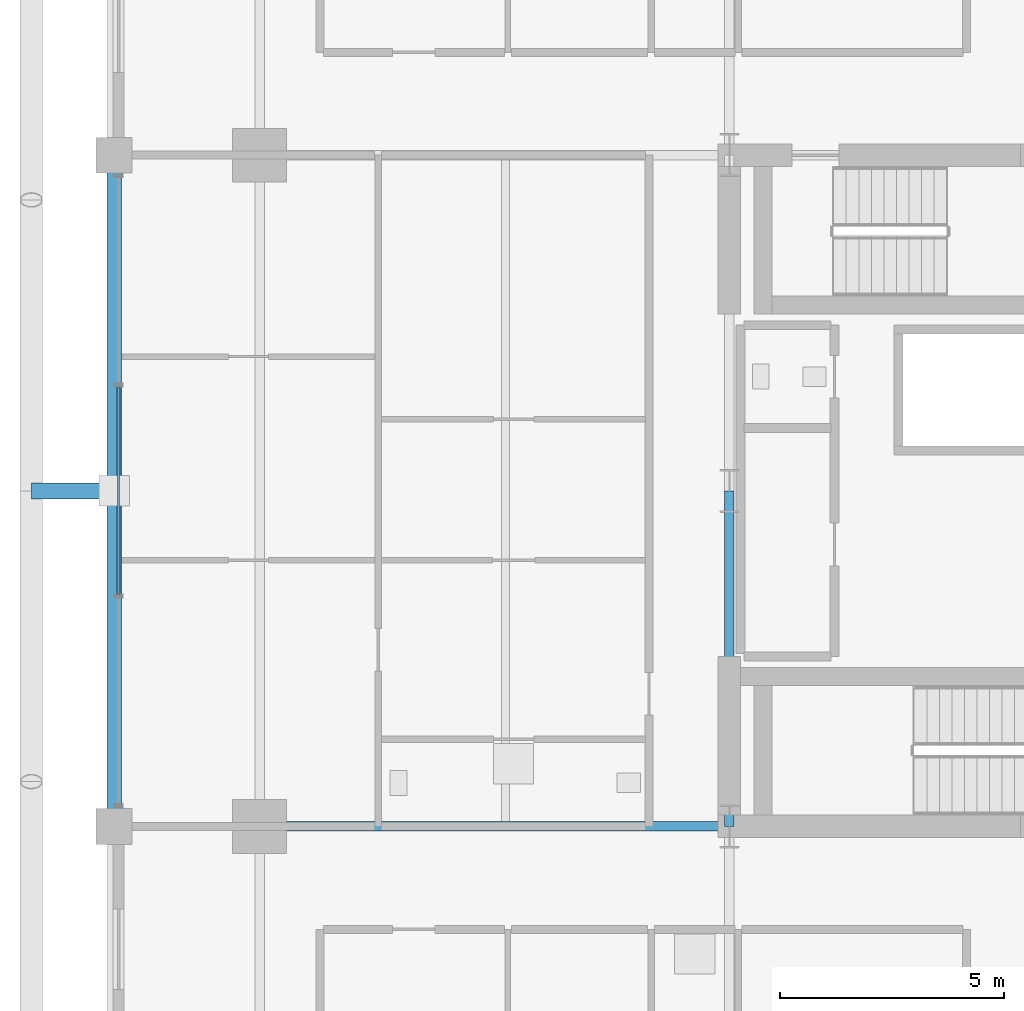
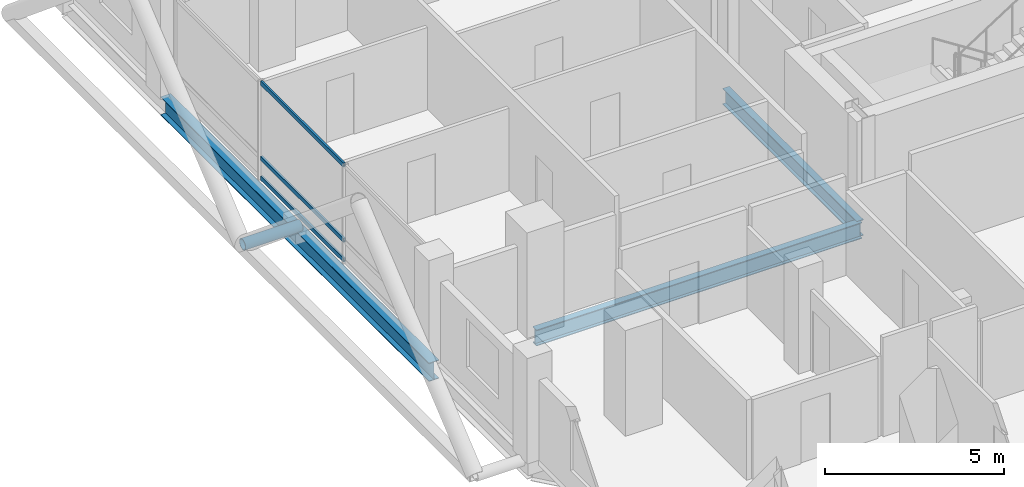
# One storey, part 6 of 25: 4 members, 3 beams, 1 element without a shape of its own.
"""IFC4 building model written with IfcOpenShell, lengths in metres."""

from ifc_helpers import new_model, si_unit, direction, frame, origin, origin_2d, place, context, subcontext, project, spatial, hollow_rectangle, hollow_circle, i_section, extrude, material, layer, layer_set, material_profile, profile_set, type_object, element, aggregate, save


model = new_model("IFC4")

# Units and contexts
model_context = context("Model", 3, precision=1e-05, world=origin(), true_north=direction((0.0, 1.0)))
body_context = subcontext(model_context, "Body", "Model", "MODEL_VIEW")
ifc_project = project(units=[si_unit("LENGTHUNIT", "METRE"), si_unit("AREAUNIT", "SQUARE_METRE"), si_unit("VOLUMEUNIT", "CUBIC_METRE"), si_unit("PLANEANGLEUNIT", "RADIAN"), si_unit("MASSUNIT", "GRAM", prefix="KILO")], contexts=[model_context])

# Site, building, storey
site_placement = place(None, origin())
site = spatial("IfcSite", under=ifc_project, at=site_placement, CompositionType="ELEMENT")
building_placement = place(site_placement, origin())
building = spatial("IfcBuilding", under=site, at=building_placement, Name="Barlavira Tower and Art Museum", CompositionType="ELEMENT")
storey_placement = place(building_placement, frame((0.0, 0.0, 133.199951171875)))
storey = spatial("IfcBuildingStorey", under=building, at=storey_placement, Name="L33", CompositionType="ELEMENT", Elevation=133.199951171875)

# Curtain wall, members
ifc_material_1 = material(Name="Low-iron coastal laminated glass", Category="glass")
ifc_layer = layer(ifc_material_1, 0.18994140625, Name="Low-iron coastal laminated glass")
ifc_layer_set = layer_set([ifc_layer], Name="Low-iron coastal laminated glass")
curtain_wall_type = type_object("IfcCurtainWallType", Name="Pale-Metal Unitised Curtain Wall Zone 2", PredefinedType="NOTDEFINED", material=ifc_layer_set)
curtain_wall_placement = place(storey_placement, origin())
curtain_wall = element("IfcCurtainWall", 1, at=curtain_wall_placement, inside=storey, type_object=curtain_wall_type, Name="L33 Curtain Wall CW2-L33-W-B3", PredefinedType="NOTDEFINED")
ifc_material_2 = material(Name="Pale anodised aluminium", Category="aluminium")
ifc_material_profile_1 = material_profile(ifc_material_2, hollow_rectangle(XDim=0.06494140625, YDim=0.139892578125, WallThickness=0.00390625, at=origin_2d()), Name="ALU-TRAN 65x140x4")
ifc_profile_set_1 = profile_set([ifc_material_profile_1], Name="Pale anodised aluminium")
member_type_1 = type_object("IfcMemberType", Name="Curtain Wall Pale-Metal Transom 65x140", PredefinedType="USERDEFINED", material=ifc_profile_set_1)
member_1_placement = place(storey_placement, frame((-20.14990234375, 2.31494140625, 0.070068359375), z_axis=(0.0, -1.0, 0.0), x_axis=(1.0, 0.0, 0.0)))
member_1 = element("IfcMember", 2, at=member_1_placement, type_object=member_type_1, Name="CW2-L33-W-B3 Transom 1.1", ObjectType="TRANSOM", PredefinedType="USERDEFINED", context=body_context, shape_type="SweptSolid", body=[
    extrude(hollow_rectangle(XDim=0.06494140625, YDim=0.139892578125, WallThickness=0.00390625, at=origin_2d()), origin(), (0.0, 0.0, 1.0), 4.6298828125),
])
member_2_placement = place(storey_placement, frame((-20.14990234375, 2.31494140625, 0.744140625), z_axis=(0.0, -1.0, 0.0), x_axis=(1.0, 0.0, 0.0)))
member_2 = element("IfcMember", 3, at=member_2_placement, type_object=member_type_1, Name="CW2-L33-W-B3 Transom 1.2", ObjectType="TRANSOM", PredefinedType="USERDEFINED", context=body_context, shape_type="SweptSolid", body=[
    extrude(hollow_rectangle(XDim=0.06494140625, YDim=0.139892578125, WallThickness=0.00390625, at=origin_2d()), origin(), (0.0, 0.0, 1.0), 4.6298828125),
])
member_3_placement = place(storey_placement, frame((-20.14990234375, 2.31494140625, 3.31005859375), z_axis=(0.0, -1.0, 0.0), x_axis=(1.0, 0.0, 0.0)))
member_3 = element("IfcMember", 4, at=member_3_placement, type_object=member_type_1, Name="CW2-L33-W-B3 Transom 1.3", ObjectType="TRANSOM", PredefinedType="USERDEFINED", context=body_context, shape_type="SweptSolid", body=[
    extrude(hollow_rectangle(XDim=0.06494140625, YDim=0.139892578125, WallThickness=0.00390625, at=origin_2d()), origin(), (0.0, 0.0, 1.0), 4.6298828125),
])
aggregate(curtain_wall, [member_1, member_2, member_3])

# Member
ifc_material_3 = material(Name="Steel S355", Category="steel")
ifc_material_profile_2 = material_profile(ifc_material_3, hollow_circle(Radius=0.177734375, WallThickness=0.01611328125, at=origin_2d()), Name="CHS 355.6x16.0")
ifc_profile_set_2 = profile_set([ifc_material_profile_2], Name="Steel S355")
member_type_2 = type_object("IfcMemberType", Name="Pale-Metal Exoskeleton Tie Strut CHS 356x16 Steel S355", PredefinedType="STRUT", material=ifc_profile_set_2)
member_4_placement = place(storey_placement, frame((-22.10009765625, 0.0, -0.119873046875), z_axis=(1.0, 0.0, 0.0), x_axis=(0.0, 1.0, 0.0)))
element("IfcMember", 5, at=member_4_placement, inside=storey, type_object=member_type_2, Name="L33 Exoskeleton Tie Strut W2", PredefinedType="STRUT", context=body_context, shape_type="SweptSolid", body=[
    extrude(hollow_circle(Radius=0.177734375, WallThickness=0.01611328125, at=origin_2d()), origin(), (0.0, 0.0, 1.0), 1.85009765625),
])

# Beams
ifc_material_profile_3 = material_profile(ifc_material_3, i_section(OverallWidth=0.327880859375, OverallDepth=0.62890625, WebThickness=0.013916015625, FlangeThickness=0.021484375, at=origin_2d()), Name="W610x174.0")
ifc_profile_set_3 = profile_set([ifc_material_profile_3], Name="Steel S355")
beam_type_1 = type_object("IfcBeamType", Name="Perimeter Spandrel Edge Beam W610x174 Steel S355", PredefinedType="SPANDREL", material=ifc_profile_set_3)
beam_1_placement = place(storey_placement, frame((-20.25, -7.5, -0.534423828125), z_axis=(0.0, 1.0, 0.0), x_axis=(-1.0, 0.0, 0.0)))
element("IfcBeam", 6, at=beam_1_placement, inside=storey, type_object=beam_type_1, Name="L33 Spandrel 14", PredefinedType="SPANDREL", context=body_context, shape_type="SweptSolid", body=[
    extrude(i_section(OverallWidth=0.327880859375, OverallDepth=0.62890625, WebThickness=0.013916015625, FlangeThickness=0.021484375, at=origin_2d()), origin(), (0.0, 0.0, 1.0), 15.0),
])
ifc_material_profile_4 = material_profile(ifc_material_3, i_section(OverallWidth=0.214111328125, OverallDepth=0.549072265625, WebThickness=0.0146484375, FlangeThickness=0.023681640625, at=origin_2d()), Name="W530x138.0")
ifc_profile_set_4 = profile_set([ifc_material_profile_4], Name="Steel S355")
beam_type_2 = type_object("IfcBeamType", Name="Zone 1 Primary Floor Girder W530x138 Steel S355", PredefinedType="BEAM", material=ifc_profile_set_4)
beam_2_placement = place(storey_placement, frame((-6.5, -7.5, -0.494384765625), z_axis=(0.0, 1.0, 0.0), x_axis=(-1.0, 0.0, 0.0)))
element("IfcBeam", 7, at=beam_2_placement, inside=storey, type_object=beam_type_2, Name="L33 Girder C-W1", PredefinedType="BEAM", context=body_context, shape_type="SweptSolid", body=[
    extrude(i_section(OverallWidth=0.214111328125, OverallDepth=0.549072265625, WebThickness=0.0146484375, FlangeThickness=0.023681640625, at=origin_2d()), origin(), (0.0, 0.0, 1.0), 7.5),
])
beam_3_placement = place(storey_placement, frame((-17.0, -7.5, -0.494384765625), z_axis=(1.0, 0.0, 0.0), x_axis=(0.0, 1.0, 0.0)))
element("IfcBeam", 8, at=beam_3_placement, inside=storey, type_object=beam_type_2, Name="L33 Girder R-W1", PredefinedType="BEAM", context=body_context, shape_type="SweptSolid", body=[
    extrude(i_section(OverallWidth=0.214111328125, OverallDepth=0.549072265625, WebThickness=0.0146484375, FlangeThickness=0.023681640625, at=origin_2d()), origin(), (0.0, 0.0, 1.0), 10.5),
])

save(model, "model.ifc")
